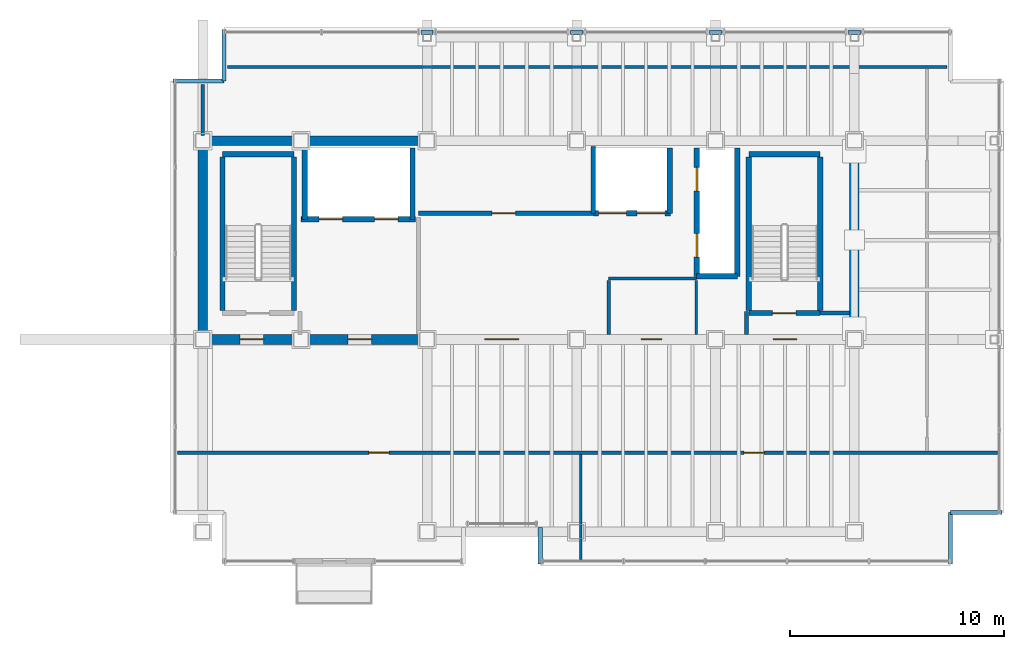
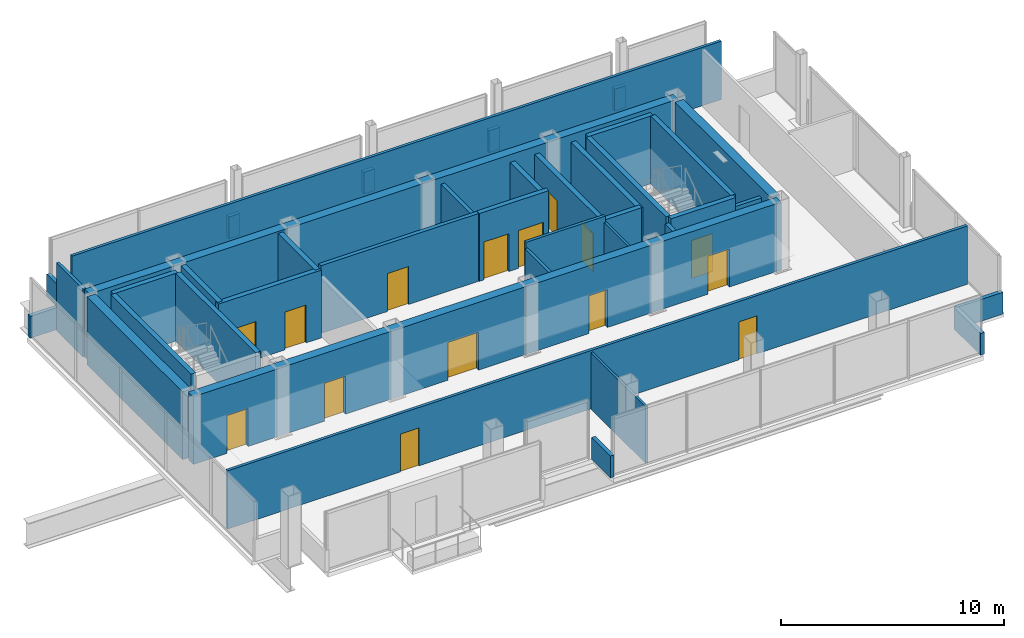
# One storey, part 15 of 17: 39 walls, 15 doors, 15 openings.
"""IFC4 building model written with IfcOpenShell, lengths in metres."""

from ifc_helpers import new_model, si_unit, direction, frame, frame_2d, origin, place, context, subcontext, project, spatial, rectangle, extrude, material, layer, layer_set, type_object, element, fill, save


model = new_model("IFC4")

# Units and contexts
model_context = context("Model", 3, precision=1e-05, world=origin(), true_north=direction((0.0, 1.0)))
body_context = subcontext(model_context, "Body", "Model", "MODEL_VIEW")
ifc_project = project(units=[si_unit("LENGTHUNIT", "METRE"), si_unit("AREAUNIT", "SQUARE_METRE"), si_unit("VOLUMEUNIT", "CUBIC_METRE"), si_unit("PLANEANGLEUNIT", "RADIAN"), si_unit("MASSUNIT", "GRAM", prefix="KILO")], contexts=[model_context])

# Site, building, storey
site_placement = place(None, origin())
site = spatial("IfcSite", under=ifc_project, at=site_placement, CompositionType="ELEMENT")
building_placement = place(site_placement, origin())
building = spatial("IfcBuilding", under=site, at=building_placement, Name="Noeulbin Bourse Tower", CompositionType="ELEMENT")
storey_placement = place(building_placement, frame((0.0, 0.0, 281.300048828125)))
storey = spatial("IfcBuildingStorey", under=building, at=storey_placement, Name="L70", CompositionType="ELEMENT", Elevation=281.300048828125)

# Wall, openings, doors
ifc_material_1 = material(Name="Concrete C50/60", Category="concrete")
ifc_layer_1 = layer(ifc_material_1, 0.449951171875)
ifc_layer_set_1 = layer_set([ifc_layer_1], Name="Concrete C50/60")
wall_type_1 = type_object("IfcWallType", Name="WAL-CORE-450", PredefinedType="SHEAR", material=ifc_layer_set_1)
wall_1_placement = place(storey_placement, frame((13.5, 29.0, 0.0), z_axis=(0.0, 0.0, 1.0), x_axis=(1.0, 0.0, 0.0)))
wall_1 = element("IfcWall", 1, at=wall_1_placement, inside=storey, type_object=wall_type_1, Name="Rear Core South Shear Wall L70", PredefinedType="SHEAR", context=body_context, shape_type="SweptSolid", body=[
    extrude(rectangle(XDim=30.5, YDim=0.449951171875, at=frame_2d((15.25, 0.0))), origin(), (0.0, 0.0, 1.0), 3.719970703125),
])
opening_1_placement = place(wall_1_placement, frame((1.75, 0.0, 0.0)))
opening_1 = element("IfcOpeningElement", 2, at=opening_1_placement, cuts=wall_1, Name="Opening FD-11", PredefinedType="OPENING", context=body_context, shape_type="SweptSolid", body=[
    extrude(rectangle(XDim=1.10009765625, YDim=2.080078125, at=frame_2d((0.550048828125, 1.0400390625))), frame((0.0, 0.23486328125, 0.0), z_axis=(0.0, -1.0, 0.0), x_axis=(1.0, 0.0, 0.0)), (0.0, 0.0, 1.0), 0.469970703125),
])
opening_2_placement = place(wall_1_placement, frame((26.699951171875, 0.0, 0.0)))
opening_2 = element("IfcOpeningElement", 3, at=opening_2_placement, cuts=wall_1, Name="Opening FD-11", PredefinedType="OPENING", context=body_context, shape_type="SweptSolid", body=[
    extrude(rectangle(XDim=1.10009765625, YDim=2.080078125, at=frame_2d((0.550048828125, 1.0400390625))), frame((0.0, 0.23486328125, 0.0), z_axis=(0.0, -1.0, 0.0), x_axis=(1.0, 0.0, 0.0)), (0.0, 0.0, 1.0), 0.469970703125),
])
opening_3_placement = place(wall_1_placement, frame((6.800048828125, 0.0, 0.0)))
opening_3 = element("IfcOpeningElement", 4, at=opening_3_placement, cuts=wall_1, Name="Opening FD-11", PredefinedType="OPENING", context=body_context, shape_type="SweptSolid", body=[
    extrude(rectangle(XDim=1.10009765625, YDim=2.080078125, at=frame_2d((0.550048828125, 1.0400390625))), frame((0.0, 0.23486328125, 0.0), z_axis=(0.0, -1.0, 0.0), x_axis=(1.0, 0.0, 0.0)), (0.0, 0.0, 1.0), 0.469970703125),
])
opening_4_placement = place(wall_1_placement, frame((13.199951171875, 0.0, 0.0)))
opening_4 = element("IfcOpeningElement", 5, at=opening_4_placement, cuts=wall_1, Name="Opening ID-16", PredefinedType="OPENING", context=body_context, shape_type="SweptSolid", body=[
    extrude(rectangle(XDim=1.60009765625, YDim=2.080078125, at=frame_2d((0.800048828125, 1.0400390625))), frame((0.0, 0.23486328125, 0.0), z_axis=(0.0, -1.0, 0.0), x_axis=(1.0, 0.0, 0.0)), (0.0, 0.0, 1.0), 0.469970703125),
])
opening_5_placement = place(wall_1_placement, frame((20.52490234375, 0.0, 0.0)))
opening_5 = element("IfcOpeningElement", 6, at=opening_5_placement, cuts=wall_1, Name="Opening ID-09", PredefinedType="OPENING", context=body_context, shape_type="SweptSolid", body=[
    extrude(rectangle(XDim=0.949951171875, YDim=2.080078125, at=frame_2d((0.47509765625, 1.0400390625))), frame((0.0, 0.23486328125, 0.0), z_axis=(0.0, -1.0, 0.0), x_axis=(1.0, 0.0, 0.0)), (0.0, 0.0, 1.0), 0.469970703125),
])
ifc_material_2 = material(Name="Acoustic Glazed Aluminium", Category="aluminium")
door_type_1 = type_object("IfcDoorType", Name="DR-DBL-1600", OperationType="DOUBLE_DOOR_SINGLE_SWING", PredefinedType="DOOR", material=ifc_material_2)
door_1_placement = place(opening_4_placement, origin())
door_1 = element("IfcDoor", 7, at=door_1_placement, inside=storey, type_object=door_type_1, Name="Passenger Lift Lobby Portal L70", OperationType="DOUBLE_DOOR_SINGLE_SWING", OverallHeight=2.080078125, OverallWidth=1.60009765625, PredefinedType="DOOR", context=body_context, shape_type="SweptSolid", body=[
    extrude(rectangle(XDim=1.60009765625, YDim=2.080078125, at=frame_2d((0.800048828125, 1.0400390625))), frame((0.0, 0.02490234375, 0.0), z_axis=(0.0, -1.0, 0.0), x_axis=(1.0, 0.0, 0.0)), (0.0, 0.0, 1.0), 0.050048828125),
])
fill(opening_4, door_1)
ifc_material_3 = material(Name="Fire-Rated Insulated Steel", Category="steel")
door_type_2 = type_object("IfcDoorType", Name="DR-FD60-1100", OperationType="SINGLE_SWING_LEFT", PredefinedType="DOOR", material=ifc_material_3)
door_2_placement = place(opening_1_placement, origin())
door_2 = element("IfcDoor", 8, at=door_2_placement, inside=storey, type_object=door_type_2, Name="West Stair Lobby Door L70", OperationType="SINGLE_SWING_LEFT", OverallHeight=2.080078125, OverallWidth=1.10009765625, PredefinedType="DOOR", context=body_context, shape_type="SweptSolid", body=[
    extrude(rectangle(XDim=1.10009765625, YDim=2.080078125, at=frame_2d((0.550048828125, 1.0400390625))), frame((0.0, 0.02490234375, 0.0), z_axis=(0.0, -1.0, 0.0), x_axis=(1.0, 0.0, 0.0)), (0.0, 0.0, 1.0), 0.050048828125),
])
fill(opening_1, door_2)
door_3_placement = place(opening_2_placement, origin())
door_3 = element("IfcDoor", 9, at=door_3_placement, inside=storey, type_object=door_type_2, Name="East Stair Lobby Door L70", OperationType="SINGLE_SWING_RIGHT", OverallHeight=2.080078125, OverallWidth=1.10009765625, PredefinedType="DOOR", context=body_context, shape_type="SweptSolid", body=[
    extrude(rectangle(XDim=1.10009765625, YDim=2.080078125, at=frame_2d((0.550048828125, 1.0400390625))), frame((0.0, 0.02490234375, 0.0), z_axis=(0.0, -1.0, 0.0), x_axis=(1.0, 0.0, 0.0)), (0.0, 0.0, 1.0), 0.050048828125),
])
fill(opening_2, door_3)
door_4_placement = place(opening_3_placement, origin())
door_4 = element("IfcDoor", 10, at=door_4_placement, inside=storey, type_object=door_type_2, Name="Firefighting Lobby Door L70", OperationType="SINGLE_SWING_LEFT", OverallHeight=2.080078125, OverallWidth=1.10009765625, PredefinedType="DOOR", context=body_context, shape_type="SweptSolid", body=[
    extrude(rectangle(XDim=1.10009765625, YDim=2.080078125, at=frame_2d((0.550048828125, 1.0400390625))), frame((0.0, 0.02490234375, 0.0), z_axis=(0.0, -1.0, 0.0), x_axis=(1.0, 0.0, 0.0)), (0.0, 0.0, 1.0), 0.050048828125),
])
fill(opening_3, door_4)
ifc_material_4 = material(Name="Acoustic Solid-Core Timber", Category="wood")
door_type_3 = type_object("IfcDoorType", Name="DR-SINGLE-950", OperationType="SINGLE_SWING_LEFT", PredefinedType="DOOR", material=ifc_material_4)
door_5_placement = place(opening_5_placement, origin())
door_5 = element("IfcDoor", 11, at=door_5_placement, inside=storey, type_object=door_type_3, Name="Interior Door L70-06", OperationType="SINGLE_SWING_RIGHT", OverallHeight=2.080078125, OverallWidth=0.949951171875, PredefinedType="DOOR", context=body_context, shape_type="SweptSolid", body=[
    extrude(rectangle(XDim=0.949951171875, YDim=2.080078125, at=frame_2d((0.47509765625, 1.0400390625))), frame((0.0, 0.02490234375, 0.0), z_axis=(0.0, -1.0, 0.0), x_axis=(1.0, 0.0, 0.0)), (0.0, 0.0, 1.0), 0.050048828125),
])
fill(opening_5, door_5)

# Walls
wall_2_placement = place(storey_placement, frame((13.5, 38.300048828125, 0.0), z_axis=(0.0, 0.0, 1.0), x_axis=(1.0, 0.0, 0.0)))
element("IfcWall", 12, at=wall_2_placement, inside=storey, type_object=wall_type_1, Name="Rear Core North Shear Wall L70", PredefinedType="SHEAR", context=body_context, shape_type="SweptSolid", body=[
    extrude(rectangle(XDim=30.5, YDim=0.449951171875, at=frame_2d((15.25, 0.0))), origin(), (0.0, 0.0, 1.0), 3.719970703125),
])
for number, where, z_axis, x_axis, name in (
    (13, (13.5, 29.35009765625, 0.0), (0.0, 0.0, 1.0), (0.0, 1.0, 0.0), "Rear Core West Shear Wall L70"),
    (14, (44.0, 29.35009765625, 0.0), (0.0, 0.0, 1.0), (0.0, 1.0, 0.0), "Rear Core East Shear Wall L70"),
):
    element("IfcWall", number, at=place(storey_placement, frame(where, z_axis=z_axis, x_axis=x_axis)), inside=storey, type_object=wall_type_1, Name=name, PredefinedType="SHEAR", context=body_context, shape_type="SweptSolid", body=[
        extrude(rectangle(XDim=8.599853515625, YDim=0.449951171875, at=frame_2d((4.2998046875, 0.0))), origin(), (0.0, 0.0, 1.0), 3.719970703125),
    ])
ifc_material_5 = material(Name="Concrete C40/50", Category="concrete")
ifc_layer_2 = layer(ifc_material_5, 0.199951171875)
ifc_layer_set_2 = layer_set([ifc_layer_2], Name="Concrete C40/50")
wall_type_2 = type_object("IfcWallType", Name="WAL-FIRE-200", PredefinedType="STANDARD", material=ifc_layer_set_2)
wall_3_placement = place(storey_placement, frame((42.39990234375, 30.239990234375, 0.0), z_axis=(0.0, 0.0, 1.0), x_axis=(1.0, 0.0, 0.0)))
element("IfcWall", 15, at=wall_3_placement, inside=storey, type_object=wall_type_2, Name="Interior Partition Wall L70-01", PredefinedType="STANDARD", context=body_context, shape_type="SweptSolid", body=[
    extrude(rectangle(XDim=1.364990234375, YDim=0.199951171875, at=frame_2d((0.6826171875, 0.0))), origin(), (0.0, 0.0, 1.0), 3.199951171875),
])

# Wall, opening, door
wall_4_placement = place(storey_placement, frame((23.60009765625, 34.89990234375, 0.0), z_axis=(0.0, 0.0, 1.0), x_axis=(1.0, 0.0, 0.0)))
wall_4 = element("IfcWall", 16, at=wall_4_placement, inside=storey, type_object=wall_type_2, Name="Interior Partition Wall L70-02", PredefinedType="STANDARD", context=body_context, shape_type="SweptSolid", body=[
    extrude(rectangle(XDim=8.179931640625, YDim=0.199951171875, at=frame_2d((4.08984375, 0.0))), origin(), (0.0, 0.0, 1.0), 3.719970703125),
])
opening_6_placement = place(wall_4_placement, frame((3.449951171875, 0.0, 0.0)))
opening_6 = element("IfcOpeningElement", 17, at=opening_6_placement, cuts=wall_4, Name="Opening FD-11", PredefinedType="OPENING", context=body_context, shape_type="SweptSolid", body=[
    extrude(rectangle(XDim=1.10009765625, YDim=2.080078125, at=frame_2d((0.550048828125, 1.0400390625))), frame((0.0, 0.10986328125, 0.0), z_axis=(0.0, -1.0, 0.0), x_axis=(1.0, 0.0, 0.0)), (0.0, 0.0, 1.0), 0.219970703125),
])
door_6_placement = place(opening_6_placement, origin())
door_6 = element("IfcDoor", 18, at=door_6_placement, inside=storey, type_object=door_type_2, Name="Telemetry Server Door L70", OperationType="SINGLE_SWING_LEFT", OverallHeight=2.080078125, OverallWidth=1.10009765625, PredefinedType="DOOR", context=body_context, shape_type="SweptSolid", body=[
    extrude(rectangle(XDim=1.10009765625, YDim=2.080078125, at=frame_2d((0.550048828125, 1.0400390625))), frame((0.0, 0.02490234375, 0.0), z_axis=(0.0, -1.0, 0.0), x_axis=(1.0, 0.0, 0.0)), (0.0, 0.0, 1.0), 0.050048828125),
])
fill(opening_6, door_6)

# Walls
wall_5_placement = place(storey_placement, frame((38.949951171875, 29.235107421875, 0.0), z_axis=(0.0, 0.0, 1.0), x_axis=(0.0, 1.0, 0.0)))
element("IfcWall", 19, at=wall_5_placement, inside=storey, type_object=wall_type_2, Name="Interior Partition Wall L70-08", PredefinedType="STANDARD", context=body_context, shape_type="SweptSolid", body=[
    extrude(rectangle(XDim=1.06494140625, YDim=0.199951171875, at=frame_2d((0.532470703125, 0.0))), origin(), (0.0, 0.0, 1.0), 3.39990234375),
])
ifc_layer_3 = layer(ifc_material_5, 0.199951171875)
ifc_layer_set_3 = layer_set([ifc_layer_3], Name="Concrete C40/50")
wall_type_3 = type_object("IfcWallType", Name="WAL-PAR-200", PredefinedType="PARAPET", material=ifc_layer_set_3)
for number, where, z_axis, x_axis, name in (
    (20, (23.719970703125, 43.3798828125, 0.0), (0.0, 0.0, 1.0), (1.0, 0.0, 0.0), "Perimeter Pier Spandrel Parapet L70-N1"),
    (21, (30.719970703125, 43.3798828125, 0.0), (0.0, 0.0, 1.0), (1.0, 0.0, 0.0), "Perimeter Pier Spandrel Parapet L70-N2"),
    (22, (37.219970703125, 43.3798828125, 0.0), (0.0, 0.0, 1.0), (1.0, 0.0, 0.0), "Perimeter Pier Spandrel Parapet L70-N3"),
    (23, (43.719970703125, 43.3798828125, 0.0), (0.0, 0.0, 1.0), (1.0, 0.0, 0.0), "Perimeter Pier Spandrel Parapet L70-N4"),
):
    element("IfcWall", number, at=place(storey_placement, frame(where, z_axis=z_axis, x_axis=x_axis)), inside=storey, type_object=wall_type_3, Name=name, PredefinedType="PARAPET", context=body_context, shape_type="SweptSolid", body=[
        extrude(rectangle(XDim=0.56005859375, YDim=0.199951171875, at=frame_2d((0.280029296875, 0.0))), origin(), (0.0, 0.0, 1.0), 1.199951171875),
    ])
for number, where, z_axis, x_axis, name in (
    (24, (48.5, 18.5, 0.0), (0.0, 0.0, 1.0), (0.0, 1.0, 0.0), "Corner Notch Parapet L70-SE1"),
    (25, (48.5, 20.89990234375, 0.0), (0.0, 0.0, 1.0), (1.0, 0.0, 0.0), "Corner Notch Parapet L70-SE2"),
    (26, (12.10009765625, 41.10009765625, 0.0), (0.0, 0.0, 1.0), (1.0, 0.0, 0.0), "Corner Notch Parapet L70-NW1"),
    (27, (14.5, 41.10009765625, 0.0), (0.0, 0.0, 1.0), (0.0, 1.0, 0.0), "Corner Notch Parapet L70-NW2"),
):
    element("IfcWall", number, at=place(storey_placement, frame(where, z_axis=z_axis, x_axis=x_axis)), inside=storey, type_object=wall_type_3, Name=name, PredefinedType="PARAPET", context=body_context, shape_type="SweptSolid", body=[
        extrude(rectangle(XDim=2.39990234375, YDim=0.199951171875, at=frame_2d((1.199951171875, 0.0))), origin(), (0.0, 0.0, 1.0), 1.199951171875),
    ])
wall_6_placement = place(storey_placement, frame((29.300048828125, 20.199951171875, 0.0), z_axis=(0.0, 0.0, 1.0), x_axis=(0.0, -1.0, 0.0)))
element("IfcWall", 28, at=wall_6_placement, inside=storey, type_object=wall_type_3, Name="Sky-Garden Recess Parapet L70-E", PredefinedType="PARAPET", context=body_context, shape_type="SweptSolid", body=[
    extrude(rectangle(XDim=1.699951171875, YDim=0.199951171875, at=frame_2d((0.85009765625, 0.0))), origin(), (0.0, 0.0, 1.0), 1.199951171875),
])
ifc_material_6 = material(Name="Steel Stud Gypsum Partition", Category="steel")
ifc_layer_4 = layer(ifc_material_6, 0.1201171875)
ifc_layer_set_4 = layer_set([ifc_layer_4], Name="Steel Stud Gypsum Partition")
wall_type_4 = type_object("IfcWallType", Name="WAL-PRT-120", PredefinedType="PARTITIONING", material=ifc_layer_set_4)
wall_7_placement = place(storey_placement, frame((36.60009765625, 29.235107421875, 0.0), z_axis=(0.0, 0.0, 1.0), x_axis=(0.0, 1.0, 0.0)))
element("IfcWall", 29, at=wall_7_placement, inside=storey, type_object=wall_type_4, Name="Interior Partition Wall L70-11", PredefinedType="PARTITIONING", context=body_context, shape_type="SweptSolid", body=[
    extrude(rectangle(XDim=2.52978515625, YDim=0.1201171875, at=frame_2d((1.264892578125, 0.0))), origin(), (0.0, 0.0, 1.0), 3.39990234375),
])
wall_8_placement = place(storey_placement, frame((31.199951171875, 18.7099609375, 0.0), z_axis=(0.0, 0.0, 1.0), x_axis=(0.0, 1.0, 0.0)))
element("IfcWall", 30, at=wall_8_placement, inside=storey, type_object=wall_type_4, Name="Interior Partition Wall L70-13", PredefinedType="PARTITIONING", context=body_context, shape_type="SweptSolid", body=[
    extrude(rectangle(XDim=4.905029296875, YDim=0.1201171875, at=frame_2d((2.45263671875, 0.0))), origin(), (0.0, 0.0, 1.0), 3.099853515625),
])
ifc_material_7 = material(Name="Steel Stud Acoustic Gypsum Board", Category="steel")
ifc_layer_5 = layer(ifc_material_7, 0.14990234375)
ifc_layer_set_5 = layer_set([ifc_layer_5], Name="Steel Stud Acoustic Gypsum Board")
wall_type_5 = type_object("IfcWallType", Name="WAL-PRT-150", PredefinedType="PARTITIONING", material=ifc_layer_set_5)
wall_9_placement = place(storey_placement, frame((32.5, 31.85009765625, 0.0), z_axis=(0.0, 0.0, 1.0), x_axis=(1.0, 0.0, 0.0)))
element("IfcWall", 31, at=wall_9_placement, inside=storey, type_object=wall_type_5, Name="Interior Partition Wall L70-03", PredefinedType="PARTITIONING", context=body_context, shape_type="SweptSolid", body=[
    extrude(rectangle(XDim=4.10009765625, YDim=0.14990234375, at=frame_2d((2.050048828125, 0.0))), origin(), (0.0, 0.0, 1.0), 3.719970703125),
])

# Wall, openings, doors
wall_10_placement = place(storey_placement, frame((12.31005859375, 23.699951171875, 0.0), z_axis=(0.0, 0.0, 1.0), x_axis=(1.0, 0.0, 0.0)))
wall_10 = element("IfcWall", 32, at=wall_10_placement, inside=storey, type_object=wall_type_5, Name="Interior Partition Wall L70-04", PredefinedType="PARTITIONING", context=body_context, shape_type="SweptSolid", body=[
    extrude(rectangle(XDim=38.3798828125, YDim=0.14990234375, at=frame_2d((19.18994140625, 0.0))), origin(), (0.0, 0.0, 1.0), 3.199951171875),
])
opening_7_placement = place(wall_10_placement, frame((8.969970703125, 0.0, 0.0)))
opening_7 = element("IfcOpeningElement", 33, at=opening_7_placement, cuts=wall_10, Name="Opening ID-09", PredefinedType="OPENING", context=body_context, shape_type="SweptSolid", body=[
    extrude(rectangle(XDim=0.949951171875, YDim=2.080078125, at=frame_2d((0.47509765625, 1.0400390625))), frame((0.0, 0.0849609375, 0.0), z_axis=(0.0, -1.0, 0.0), x_axis=(1.0, 0.0, 0.0)), (0.0, 0.0, 1.0), 0.169921875),
])
opening_8_placement = place(wall_10_placement, frame((26.514892578125, 0.0, 0.0)))
opening_8 = element("IfcOpeningElement", 34, at=opening_8_placement, cuts=wall_10, Name="Opening ID-09", PredefinedType="OPENING", context=body_context, shape_type="SweptSolid", body=[
    extrude(rectangle(XDim=0.949951171875, YDim=2.080078125, at=frame_2d((0.47509765625, 1.0400390625))), frame((0.0, 0.0849609375, 0.0), z_axis=(0.0, -1.0, 0.0), x_axis=(1.0, 0.0, 0.0)), (0.0, 0.0, 1.0), 0.169921875),
])
door_7_placement = place(opening_7_placement, origin())
door_7 = element("IfcDoor", 35, at=door_7_placement, inside=storey, type_object=door_type_3, Name="Interior Door L70-07", OperationType="SINGLE_SWING_LEFT", OverallHeight=2.080078125, OverallWidth=0.949951171875, PredefinedType="DOOR", context=body_context, shape_type="SweptSolid", body=[
    extrude(rectangle(XDim=0.949951171875, YDim=2.080078125, at=frame_2d((0.47509765625, 1.0400390625))), frame((0.0, 0.02490234375, 0.0), z_axis=(0.0, -1.0, 0.0), x_axis=(1.0, 0.0, 0.0)), (0.0, 0.0, 1.0), 0.050048828125),
])
fill(opening_7, door_7)
door_8_placement = place(opening_8_placement, origin())
door_8 = element("IfcDoor", 36, at=door_8_placement, inside=storey, type_object=door_type_3, Name="Interior Door L70-08", OperationType="SINGLE_SWING_RIGHT", OverallHeight=2.080078125, OverallWidth=0.949951171875, PredefinedType="DOOR", context=body_context, shape_type="SweptSolid", body=[
    extrude(rectangle(XDim=0.949951171875, YDim=2.080078125, at=frame_2d((0.47509765625, 1.0400390625))), frame((0.0, 0.02490234375, 0.0), z_axis=(0.0, -1.0, 0.0), x_axis=(1.0, 0.0, 0.0)), (0.0, 0.0, 1.0), 0.050048828125),
])
fill(opening_8, door_8)

# Walls
wall_11_placement = place(storey_placement, frame((14.659912109375, 41.75, 0.0), z_axis=(0.0, 0.0, 1.0), x_axis=(1.0, 0.0, 0.0)))
element("IfcWall", 37, at=wall_11_placement, inside=storey, type_object=wall_type_5, Name="Interior Partition Wall L70-06", PredefinedType="PARTITIONING", context=body_context, shape_type="SweptSolid", body=[
    extrude(rectangle(XDim=33.68017578125, YDim=0.14990234375, at=frame_2d((16.840087890625, 0.0))), origin(), (0.0, 0.0, 1.0), 3.199951171875),
])
wall_12_placement = place(storey_placement, frame((32.5, 29.235107421875, 0.0), z_axis=(0.0, 0.0, 1.0), x_axis=(0.0, 1.0, 0.0)))
element("IfcWall", 38, at=wall_12_placement, inside=storey, type_object=wall_type_5, Name="Interior Partition Wall L70-10", PredefinedType="PARTITIONING", context=body_context, shape_type="SweptSolid", body=[
    extrude(rectangle(XDim=2.52978515625, YDim=0.14990234375, at=frame_2d((1.264892578125, 0.0))), origin(), (0.0, 0.0, 1.0), 3.39990234375),
])
wall_13_placement = place(storey_placement, frame((13.5, 38.534912109375, 0.0), z_axis=(0.0, 0.0, 1.0), x_axis=(0.0, 1.0, 0.0)))
element("IfcWall", 39, at=wall_13_placement, inside=storey, type_object=wall_type_5, Name="Interior Partition Wall L70-14", PredefinedType="PARTITIONING", context=body_context, shape_type="SweptSolid", body=[
    extrude(rectangle(XDim=2.405029296875, YDim=0.14990234375, at=frame_2d((1.20263671875, 0.0))), origin(), (0.0, 0.0, 1.0), 3.719970703125),
])
ifc_layer_6 = layer(ifc_material_5, 0.25)
ifc_layer_set_6 = layer_set([ifc_layer_6], Name="Concrete C40/50")
wall_type_6 = type_object("IfcWallType", Name="WAL-SHFT-250", PredefinedType="STANDARD", material=ifc_layer_set_6)
wall_14_placement = place(storey_placement, frame((14.429931640625, 37.6689453125, 0.0), z_axis=(0.0, 0.0, 1.0), x_axis=(1.0, 0.0, 0.0)))
element("IfcWall", 40, at=wall_14_placement, inside=storey, type_object=wall_type_6, Name="Stair ST-1 North Shaft Wall L70", PredefinedType="STANDARD", context=body_context, shape_type="SweptSolid", body=[
    extrude(rectangle(XDim=3.340087890625, YDim=0.25, at=frame_2d((1.669921875, 0.0))), origin(), (0.0, 0.0, 1.0), 3.719970703125),
])
for number, where, z_axis, x_axis, name in (
    (41, (14.425048828125, 30.360107421875, 0.0), (0.0, 0.0, 1.0), (0.0, 1.0, 0.0), "Stair ST-1 West Shaft Wall L70"),
    (42, (17.77490234375, 30.360107421875, 0.0), (0.0, 0.0, 1.0), (0.0, 1.0, 0.0), "Stair ST-1 East Shaft Wall L70"),
):
    element("IfcWall", number, at=place(storey_placement, frame(where, z_axis=z_axis, x_axis=x_axis)), inside=storey, type_object=wall_type_6, Name=name, PredefinedType="STANDARD", context=body_context, shape_type="SweptSolid", body=[
        extrude(rectangle(XDim=7.183837890625, YDim=0.25, at=frame_2d((3.591796875, 0.0))), origin(), (0.0, 0.0, 1.0), 3.719970703125),
    ])

# Wall, opening, door
wall_15_placement = place(storey_placement, frame((39.06005859375, 30.235107421875, 0.0), z_axis=(0.0, 0.0, 1.0), x_axis=(1.0, 0.0, 0.0)))
wall_15 = element("IfcWall", 43, at=wall_15_placement, inside=storey, type_object=wall_type_6, Name="Stair ST-2 South Shaft Wall L70", PredefinedType="STANDARD", context=body_context, shape_type="SweptSolid", body=[
    extrude(rectangle(XDim=3.33984375, YDim=0.25, at=frame_2d((1.669921875, 0.0))), origin(), (0.0, 0.0, 1.0), 3.719970703125),
])
opening_9_placement = place(wall_15_placement, frame((1.10009765625, 0.0, 0.0)))
opening_9 = element("IfcOpeningElement", 44, at=opening_9_placement, cuts=wall_15, Name="Opening FD-11", PredefinedType="OPENING", context=body_context, shape_type="SweptSolid", body=[
    extrude(rectangle(XDim=1.10009765625, YDim=2.080078125, at=frame_2d((0.550048828125, 1.0400390625))), frame((0.0, 0.135009765625, 0.0), z_axis=(0.0, -1.0, 0.0), x_axis=(1.0, 0.0, 0.0)), (0.0, 0.0, 1.0), 0.27001953125),
])
door_9_placement = place(opening_9_placement, origin())
door_9 = element("IfcDoor", 45, at=door_9_placement, inside=storey, type_object=door_type_2, Name="Protected Stair Entry Door ST2-L70", OperationType="SINGLE_SWING_RIGHT", OverallHeight=2.080078125, OverallWidth=1.10009765625, PredefinedType="DOOR", context=body_context, shape_type="SweptSolid", body=[
    extrude(rectangle(XDim=1.10009765625, YDim=2.080078125, at=frame_2d((0.550048828125, 1.0400390625))), frame((0.0, 0.02490234375, 0.0), z_axis=(0.0, -1.0, 0.0), x_axis=(1.0, 0.0, 0.0)), (0.0, 0.0, 1.0), 0.050048828125),
])
fill(opening_9, door_9)

# Walls
wall_16_placement = place(storey_placement, frame((39.06005859375, 37.6689453125, 0.0), z_axis=(0.0, 0.0, 1.0), x_axis=(1.0, 0.0, 0.0)))
element("IfcWall", 46, at=wall_16_placement, inside=storey, type_object=wall_type_6, Name="Stair ST-2 North Shaft Wall L70", PredefinedType="STANDARD", context=body_context, shape_type="SweptSolid", body=[
    extrude(rectangle(XDim=3.33984375, YDim=0.25, at=frame_2d((1.669921875, 0.0))), origin(), (0.0, 0.0, 1.0), 3.719970703125),
])
for number, where, z_axis, x_axis, name in (
    (47, (39.054931640625, 30.360107421875, 0.0), (0.0, 0.0, 1.0), (0.0, 1.0, 0.0), "Stair ST-2 West Shaft Wall L70"),
    (48, (42.405029296875, 30.360107421875, 0.0), (0.0, 0.0, 1.0), (0.0, 1.0, 0.0), "Stair ST-2 East Shaft Wall L70"),
):
    element("IfcWall", number, at=place(storey_placement, frame(where, z_axis=z_axis, x_axis=x_axis)), inside=storey, type_object=wall_type_6, Name=name, PredefinedType="STANDARD", context=body_context, shape_type="SweptSolid", body=[
        extrude(rectangle(XDim=7.183837890625, YDim=0.25, at=frame_2d((3.591796875, 0.0))), origin(), (0.0, 0.0, 1.0), 3.719970703125),
    ])

# Wall, openings, doors
wall_17_placement = place(storey_placement, frame((18.10009765625, 34.6201171875, 0.0), z_axis=(0.0, 0.0, 1.0), x_axis=(1.0, 0.0, 0.0)))
wall_17 = element("IfcWall", 49, at=wall_17_placement, inside=storey, type_object=wall_type_6, Name="Firefighting Lift Shaft Front L70", PredefinedType="STANDARD", context=body_context, shape_type="SweptSolid", body=[
    extrude(rectangle(XDim=5.349853515625, YDim=0.25, at=frame_2d((2.6748046875, 0.0))), origin(), (0.0, 0.0, 1.0), 3.719970703125),
])
opening_10_placement = place(wall_17_placement, frame((0.85009765625, 0.0, 0.0)))
opening_10 = element("IfcOpeningElement", 50, at=opening_10_placement, cuts=wall_17, Name="Opening LD-11", PredefinedType="OPENING", context=body_context, shape_type="SweptSolid", body=[
    extrude(rectangle(XDim=1.10009765625, YDim=2.080078125, at=frame_2d((0.550048828125, 1.0400390625))), frame((0.0, 0.135009765625, 0.0), z_axis=(0.0, -1.0, 0.0), x_axis=(1.0, 0.0, 0.0)), (0.0, 0.0, 1.0), 0.27001953125),
])
opening_11_placement = place(wall_17_placement, frame((3.449951171875, 0.0, 0.0)))
opening_11 = element("IfcOpeningElement", 51, at=opening_11_placement, cuts=wall_17, Name="Opening LD-11", PredefinedType="OPENING", context=body_context, shape_type="SweptSolid", body=[
    extrude(rectangle(XDim=1.10009765625, YDim=2.080078125, at=frame_2d((0.550048828125, 1.0400390625))), frame((0.0, 0.135009765625, 0.0), z_axis=(0.0, -1.0, 0.0), x_axis=(1.0, 0.0, 0.0)), (0.0, 0.0, 1.0), 0.27001953125),
])
ifc_material_8 = material(Name="Brushed Stainless Steel 316", Category="steel")
door_type_4 = type_object("IfcDoorType", Name="DR-LIFT-1100", OperationType="SLIDING_TO_LEFT", PredefinedType="DOOR", material=ifc_material_8)
door_10_placement = place(opening_10_placement, origin())
door_10 = element("IfcDoor", 52, at=door_10_placement, inside=storey, type_object=door_type_4, Name="Lift Landing Door LD-FL-01-L70", OperationType="SLIDING_TO_LEFT", OverallHeight=2.080078125, OverallWidth=1.10009765625, PredefinedType="DOOR", context=body_context, shape_type="SweptSolid", body=[
    extrude(rectangle(XDim=1.10009765625, YDim=2.080078125, at=frame_2d((0.550048828125, 1.0400390625))), frame((0.0, 0.02490234375, 0.0), z_axis=(0.0, -1.0, 0.0), x_axis=(1.0, 0.0, 0.0)), (0.0, 0.0, 1.0), 0.050048828125),
])
fill(opening_10, door_10)
door_11_placement = place(opening_11_placement, origin())
door_11 = element("IfcDoor", 53, at=door_11_placement, inside=storey, type_object=door_type_4, Name="Lift Landing Door LD-FL-02-L70", OperationType="SLIDING_TO_LEFT", OverallHeight=2.080078125, OverallWidth=1.10009765625, PredefinedType="DOOR", context=body_context, shape_type="SweptSolid", body=[
    extrude(rectangle(XDim=1.10009765625, YDim=2.080078125, at=frame_2d((0.550048828125, 1.0400390625))), frame((0.0, 0.02490234375, 0.0), z_axis=(0.0, -1.0, 0.0), x_axis=(1.0, 0.0, 0.0)), (0.0, 0.0, 1.0), 0.050048828125),
])
fill(opening_11, door_11)

wall_18_placement = place(storey_placement, frame((36.6201171875, 31.949951171875, 0.0), z_axis=(0.0, 0.0, 1.0), x_axis=(0.0, 1.0, 0.0)))
wall_18 = element("IfcWall", 54, at=wall_18_placement, inside=storey, type_object=wall_type_6, Name="Service Lift Shaft Wall L70", PredefinedType="STANDARD", context=body_context, shape_type="SweptSolid", body=[
    extrude(rectangle(XDim=6.0, YDim=0.25, at=frame_2d((3.0, 0.0))), origin(), (0.0, 0.0, 1.0), 3.39990234375),
])
opening_12_placement = place(wall_18_placement, frame((0.89990234375, 0.0, 0.0)))
opening_12 = element("IfcOpeningElement", 55, at=opening_12_placement, cuts=wall_18, Name="Opening LD-11", PredefinedType="OPENING", context=body_context, shape_type="SweptSolid", body=[
    extrude(rectangle(XDim=1.10009765625, YDim=2.080078125, at=frame_2d((0.550048828125, 1.0400390625))), frame((0.0, 0.135009765625, 0.0), z_axis=(0.0, -1.0, 0.0), x_axis=(1.0, 0.0, 0.0)), (0.0, 0.0, 1.0), 0.27001953125),
])
opening_13_placement = place(wall_18_placement, frame((4.0, 0.0, 0.0)))
opening_13 = element("IfcOpeningElement", 56, at=opening_13_placement, cuts=wall_18, Name="Opening LD-11", PredefinedType="OPENING", context=body_context, shape_type="SweptSolid", body=[
    extrude(rectangle(XDim=1.10009765625, YDim=2.080078125, at=frame_2d((0.550048828125, 1.0400390625))), frame((0.0, 0.135009765625, 0.0), z_axis=(0.0, -1.0, 0.0), x_axis=(1.0, 0.0, 0.0)), (0.0, 0.0, 1.0), 0.27001953125),
])
door_12_placement = place(opening_12_placement, origin())
door_12 = element("IfcDoor", 57, at=door_12_placement, inside=storey, type_object=door_type_4, Name="Lift Landing Door LD-EL-01-L70", OperationType="SLIDING_TO_LEFT", OverallHeight=2.080078125, OverallWidth=1.10009765625, PredefinedType="DOOR", context=body_context, shape_type="SweptSolid", body=[
    extrude(rectangle(XDim=1.10009765625, YDim=2.080078125, at=frame_2d((0.550048828125, 1.0400390625))), frame((0.0, 0.02490234375, 0.0), z_axis=(0.0, -1.0, 0.0), x_axis=(1.0, 0.0, 0.0)), (0.0, 0.0, 1.0), 0.050048828125),
])
fill(opening_12, door_12)
door_13_placement = place(opening_13_placement, origin())
door_13 = element("IfcDoor", 58, at=door_13_placement, inside=storey, type_object=door_type_4, Name="Lift Landing Door LD-SV-01-L70", OperationType="SLIDING_TO_LEFT", OverallHeight=2.080078125, OverallWidth=1.10009765625, PredefinedType="DOOR", context=body_context, shape_type="SweptSolid", body=[
    extrude(rectangle(XDim=1.10009765625, YDim=2.080078125, at=frame_2d((0.550048828125, 1.0400390625))), frame((0.0, 0.02490234375, 0.0), z_axis=(0.0, -1.0, 0.0), x_axis=(1.0, 0.0, 0.0)), (0.0, 0.0, 1.0), 0.050048828125),
])
fill(opening_13, door_13)

# Walls
wall_19_placement = place(storey_placement, frame((38.52001953125, 31.949951171875, 0.0), z_axis=(0.0, 0.0, 1.0), x_axis=(0.0, 1.0, 0.0)))
element("IfcWall", 59, at=wall_19_placement, inside=storey, type_object=wall_type_6, Name="Service Lift East Shaft Wall L70", PredefinedType="STANDARD", context=body_context, shape_type="SweptSolid", body=[
    extrude(rectangle(XDim=6.0, YDim=0.25, at=frame_2d((3.0, 0.0))), origin(), (0.0, 0.0, 1.0), 3.39990234375),
])
wall_20_placement = place(storey_placement, frame((36.6201171875, 31.949951171875, 0.0), z_axis=(0.0, 0.0, 1.0), x_axis=(1.0, 0.0, 0.0)))
element("IfcWall", 60, at=wall_20_placement, inside=storey, type_object=wall_type_6, Name="Service Lift South Shaft Wall L70", PredefinedType="STANDARD", context=body_context, shape_type="SweptSolid", body=[
    extrude(rectangle(XDim=1.89990234375, YDim=0.25, at=frame_2d((0.949951171875, 0.0))), origin(), (0.0, 0.0, 1.0), 3.47998046875),
])
for number, where, z_axis, x_axis, name in (
    (61, (18.280029296875, 34.6201171875, 0.0), (0.0, 0.0, 1.0), (0.0, 1.0, 0.0), "Firefighting Lift West Shaft Wall L70"),
    (62, (23.320068359375, 34.6201171875, 0.0), (0.0, 0.0, 1.0), (0.0, 1.0, 0.0), "Firefighting Lift East Shaft Wall L70"),
):
    element("IfcWall", number, at=place(storey_placement, frame(where, z_axis=z_axis, x_axis=x_axis)), inside=storey, type_object=wall_type_6, Name=name, PredefinedType="STANDARD", context=body_context, shape_type="SweptSolid", body=[
        extrude(rectangle(XDim=3.329833984375, YDim=0.25, at=frame_2d((1.6650390625, 0.0))), origin(), (0.0, 0.0, 1.0), 3.719970703125),
    ])
wall_21_placement = place(storey_placement, frame((35.360107421875, 34.89990234375, 0.0), z_axis=(0.0, 0.0, 1.0), x_axis=(0.0, 1.0, 0.0)))
element("IfcWall", 63, at=wall_21_placement, inside=storey, type_object=wall_type_6, Name="High-Rise Lift East Shaft Wall L70", PredefinedType="STANDARD", context=body_context, shape_type="SweptSolid", body=[
    extrude(rectangle(XDim=3.050048828125, YDim=0.25, at=frame_2d((1.52490234375, 0.0))), origin(), (0.0, 0.0, 1.0), 3.39990234375),
])

# Wall, openings, doors
wall_22_placement = place(storey_placement, frame((31.800048828125, 34.89990234375, 0.0), z_axis=(0.0, 0.0, 1.0), x_axis=(1.0, 0.0, 0.0)))
wall_22 = element("IfcWall", 64, at=wall_22_placement, inside=storey, type_object=wall_type_6, Name="High-Rise Lift Bank Front L70", PredefinedType="STANDARD", context=body_context, shape_type="SweptSolid", body=[
    extrude(rectangle(XDim=3.599853515625, YDim=0.25, at=frame_2d((1.7998046875, 0.0))), origin(), (0.0, 0.0, 1.0), 3.719970703125),
])
opening_14_placement = place(wall_22_placement, frame((0.22998046875, 0.0, 0.0)))
opening_14 = element("IfcOpeningElement", 65, at=opening_14_placement, cuts=wall_22, Name="Opening LD-13", PredefinedType="OPENING", context=body_context, shape_type="SweptSolid", body=[
    extrude(rectangle(XDim=1.300048828125, YDim=2.080078125, at=frame_2d((0.64990234375, 1.0400390625))), frame((0.0, 0.135009765625, 0.0), z_axis=(0.0, -1.0, 0.0), x_axis=(1.0, 0.0, 0.0)), (0.0, 0.0, 1.0), 0.27001953125),
])
opening_15_placement = place(wall_22_placement, frame((2.030029296875, 0.0, 0.0)))
opening_15 = element("IfcOpeningElement", 66, at=opening_15_placement, cuts=wall_22, Name="Opening LD-13", PredefinedType="OPENING", context=body_context, shape_type="SweptSolid", body=[
    extrude(rectangle(XDim=1.300048828125, YDim=2.080078125, at=frame_2d((0.64990234375, 1.0400390625))), frame((0.0, 0.135009765625, 0.0), z_axis=(0.0, -1.0, 0.0), x_axis=(1.0, 0.0, 0.0)), (0.0, 0.0, 1.0), 0.27001953125),
])
door_type_5 = type_object("IfcDoorType", Name="DR-LIFT-1300", OperationType="DOUBLE_DOOR_SLIDING", PredefinedType="DOOR", material=ifc_material_8)
door_14_placement = place(opening_14_placement, origin())
door_14 = element("IfcDoor", 67, at=door_14_placement, inside=storey, type_object=door_type_5, Name="Lift Landing Door LD-PL-H1-L70", OperationType="DOUBLE_DOOR_SLIDING", OverallHeight=2.080078125, OverallWidth=1.300048828125, PredefinedType="DOOR", context=body_context, shape_type="SweptSolid", body=[
    extrude(rectangle(XDim=1.300048828125, YDim=2.080078125, at=frame_2d((0.64990234375, 1.0400390625))), frame((0.0, 0.02490234375, 0.0), z_axis=(0.0, -1.0, 0.0), x_axis=(1.0, 0.0, 0.0)), (0.0, 0.0, 1.0), 0.050048828125),
])
fill(opening_14, door_14)
door_15_placement = place(opening_15_placement, origin())
door_15 = element("IfcDoor", 68, at=door_15_placement, inside=storey, type_object=door_type_5, Name="Lift Landing Door LD-PL-H2-L70", OperationType="DOUBLE_DOOR_SLIDING", OverallHeight=2.080078125, OverallWidth=1.300048828125, PredefinedType="DOOR", context=body_context, shape_type="SweptSolid", body=[
    extrude(rectangle(XDim=1.300048828125, YDim=2.080078125, at=frame_2d((0.64990234375, 1.0400390625))), frame((0.0, 0.02490234375, 0.0), z_axis=(0.0, -1.0, 0.0), x_axis=(1.0, 0.0, 0.0)), (0.0, 0.0, 1.0), 0.050048828125),
])
fill(opening_15, door_15)

# Wall
wall_23_placement = place(storey_placement, frame((31.780029296875, 34.89990234375, 0.0), z_axis=(0.0, 0.0, 1.0), x_axis=(0.0, 1.0, 0.0)))
element("IfcWall", 69, at=wall_23_placement, inside=storey, type_object=wall_type_6, Name="Hoistway Side Shaft Wall L70-PLHW", PredefinedType="STANDARD", context=body_context, shape_type="SweptSolid", body=[
    extrude(rectangle(XDim=3.1201171875, YDim=0.199951171875, at=frame_2d((1.56005859375, 0.0))), origin(), (0.0, 0.0, 1.0), 3.39990234375),
])

save(model, "model.ifc")
